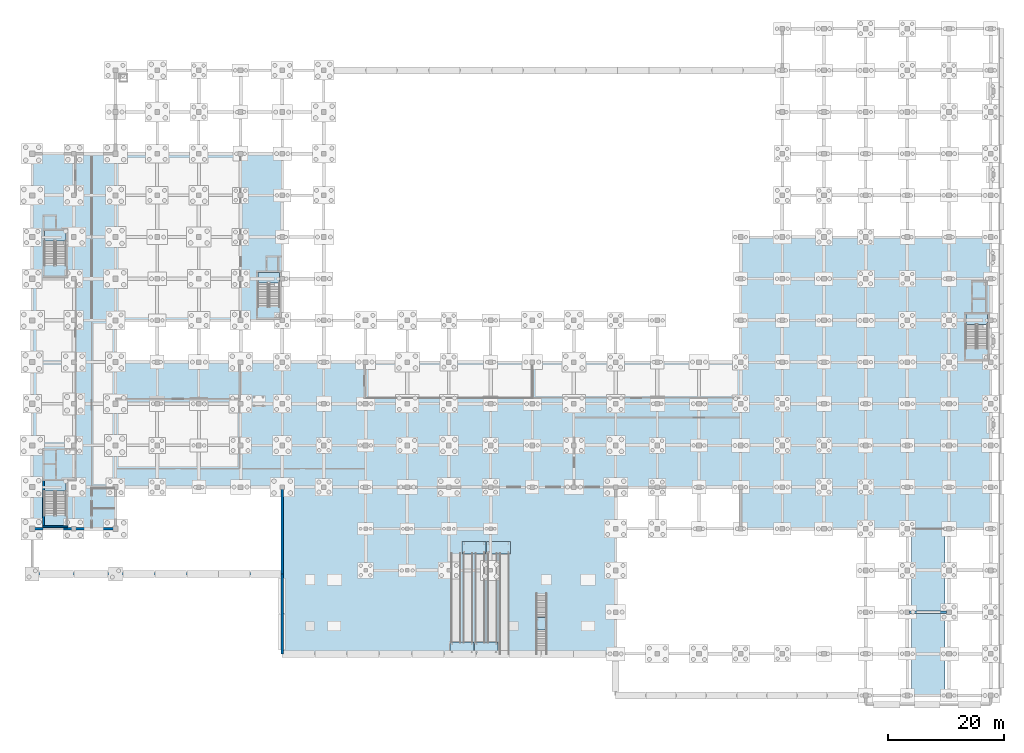
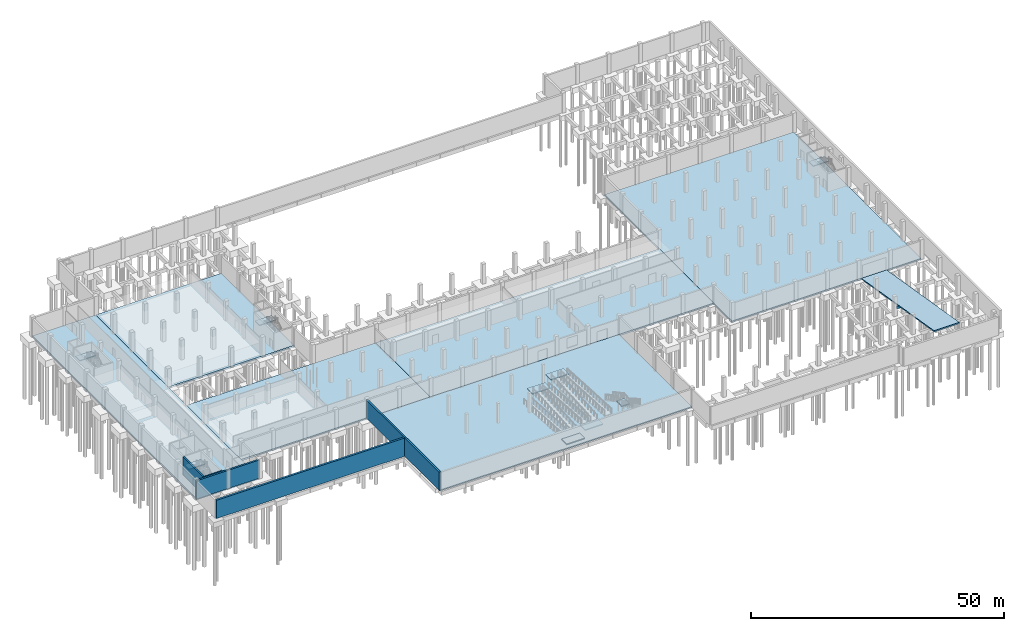
# One storey, part 22 of 38: 16 slabs, 6 walls, 1 beam, 9 elements without a shape of their own.
"""IFC4 building model written with IfcOpenShell, lengths in metres."""

import ifcopenshell
import ifcopenshell.guid

model = None  # the IFC model being written
_history = None  # IfcOwnerHistory: only IFC2X3 demands one
_inside = {}  # id of a spatial element -> (the spatial element, [elements in it])
_under = {}  # id of a project, library or spatial element -> (it, [spatial elements below it])
_declared = {}  # id of a project -> (the project, [libraries it declares])
_typed = {}  # id of a type object -> (the type object, [elements of that type])
_made_of = {}  # id of a material, layer set ... -> (it, [elements and type objects made of it])


def new_model(schema):
    """Start an empty IFC model of exactly this schema.

    Asked for "IFC4X3", IfcOpenShell would pick the latest addendum, in which some entities
    have other attributes; the version numbers below select the first issue.
    IFC2X3 requires an IfcOwnerHistory on every rooted entity: one is made here for all.
    """
    global model, _history
    if schema == "IFC4X3":
        model = ifcopenshell.file(schema_version=(4, 3, 0, 0))
    else:
        model = ifcopenshell.file(schema=schema)
    _inside.clear()
    _under.clear()
    _declared.clear()
    _typed.clear()
    _made_of.clear()
    _history = None
    if model.schema == "IFC2X3":
        org = make("IfcOrganization", Name="unknown")
        user = make(
            "IfcPersonAndOrganization",
            ThePerson=make("IfcPerson", FamilyName="unknown"),
            TheOrganization=org,
        )
        app = make(
            "IfcApplication",
            ApplicationDeveloper=org,
            Version="unknown",
            ApplicationFullName="unknown",
            ApplicationIdentifier="unknown",
        )
        _history = make(
            "IfcOwnerHistory",
            OwningUser=user,
            OwningApplication=app,
            ChangeAction="ADDED",
            CreationDate=0,
        )
    return model


def make(cls, **values):
    """One entity of the class cls with the attributes given. An attribute that is None is left unset."""
    return model.create_entity(
        cls, **{name: value for name, value in values.items() if value is not None}
    )


def rooted(cls, **values):
    """An entity with a GlobalId (a new one), such as an element, a storey or a relation."""
    return make(cls, GlobalId=ifcopenshell.guid.new(), OwnerHistory=_history, **values)


def si_unit(unit_type, name, prefix=None):
    """IfcSIUnit, for example si_unit("LENGTHUNIT", "METRE", prefix="MILLI")."""
    return make("IfcSIUnit", UnitType=unit_type, Prefix=prefix, Name=name)


def assignment(units):
    """IfcUnitAssignment: the units of a project."""
    return None if units is None else make("IfcUnitAssignment", Units=units)


def point(xyz):
    """IfcCartesianPoint."""
    return None if xyz is None else make("IfcCartesianPoint", Coordinates=xyz)


def direction(xyz):
    """IfcDirection."""
    return None if xyz is None else make("IfcDirection", DirectionRatios=xyz)


def frame(location, z_axis=None, x_axis=None):
    """IfcAxis2Placement3D, a coordinate frame: its origin and axes. An axis left out is left unset."""
    return make(
        "IfcAxis2Placement3D",
        Location=point(location),
        Axis=direction(z_axis),
        RefDirection=direction(x_axis),
    )


def frame_2d(location, x_axis=None):
    """IfcAxis2Placement2D, a coordinate frame in the plane: its origin and x axis."""
    return make(
        "IfcAxis2Placement2D", Location=point(location), RefDirection=direction(x_axis)
    )


def origin():
    """The frame at (0, 0, 0) with its axes left unset."""
    return frame((0.0, 0.0, 0.0))


def origin_2d():
    """The frame at (0, 0) in the plane with its x axis left unset."""
    return frame_2d((0.0, 0.0))


def place(relative_to, where):
    """IfcLocalPlacement: puts the frame where relative to a parent placement (None: the world)."""
    return make(
        "IfcLocalPlacement", PlacementRelTo=relative_to, RelativePlacement=where
    )


def context(
    kind, dimensions, precision=None, world=None, true_north=None, identifier=None
):
    """IfcGeometricRepresentationContext, for example the 3D "Model" context."""
    return make(
        "IfcGeometricRepresentationContext",
        ContextIdentifier=identifier,
        ContextType=kind,
        CoordinateSpaceDimension=dimensions,
        Precision=precision,
        WorldCoordinateSystem=world,
        TrueNorth=true_north,
    )


def subcontext(parent, identifier, kind, view, scale=None):
    """IfcGeometricRepresentationSubContext, for example "Body" below "Model"."""
    return make(
        "IfcGeometricRepresentationSubContext",
        ContextIdentifier=identifier,
        ContextType=kind,
        ParentContext=parent,
        TargetScale=scale,
        TargetView=view,
    )


def project(units=None, contexts=None):
    """IfcProject with its units and contexts."""
    return rooted(
        "IfcProject",
        Name="project",
        RepresentationContexts=contexts,
        UnitsInContext=assignment(units),
    )


def spatial(cls, under=None, at=None, **own):
    """A site, building, storey or space (cls), placed at a placement, below another one or the project."""
    s = rooted(cls, ObjectPlacement=at, **own)
    if under is not None:
        _under.setdefault(under.id(), (under, []))[1].append(s)
    return s


def polyline(points):
    """IfcPolyline through the points."""
    return make("IfcPolyline", Points=[point(p) for p in points])


def profile(cls, at=None, kind="AREA", **sizes):
    """A parametric profile (cls). Its sizes go by their IFC names, for example OverallWidth=200.0."""
    return make(cls, ProfileType=kind, Position=at, **sizes)


def rectangle(**sizes):
    """IfcRectangleProfileDef."""
    return profile("IfcRectangleProfileDef", **sizes)


def outline(outer, holes=None, kind="AREA"):
    """IfcArbitraryClosedProfileDef: a profile drawn as a closed curve; with holes, ...WithVoids."""
    if holes is None:
        return make("IfcArbitraryClosedProfileDef", ProfileType=kind, OuterCurve=outer)
    return make(
        "IfcArbitraryProfileDefWithVoids",
        ProfileType=kind,
        OuterCurve=outer,
        InnerCurves=holes,
    )


def extrude(swept, where, along, depth):
    """IfcExtrudedAreaSolid: the profile swept, set in the frame where, extruded along a direction by depth."""
    return make(
        "IfcExtrudedAreaSolid",
        SweptArea=swept,
        Position=where,
        ExtrudedDirection=direction(along),
        Depth=depth,
    )


def shape(context_of_items, identifier, shape_type, items):
    """IfcShapeRepresentation: the items that make up one representation, for example the "Body"."""
    return make(
        "IfcShapeRepresentation",
        ContextOfItems=context_of_items,
        RepresentationIdentifier=identifier,
        RepresentationType=shape_type,
        Items=items,
    )


def material(Name=None, Category=None):
    """IfcMaterial."""
    return make("IfcMaterial", Name=Name, Category=Category)


def layer(
    of_material, thickness, ventilated=None, Name=None, Category=None, Priority=None
):
    """IfcMaterialLayer: one layer of a wall or slab, of a material (None: an air gap)."""
    return make(
        "IfcMaterialLayer",
        Material=of_material,
        LayerThickness=thickness,
        IsVentilated=ventilated,
        Name=Name,
        Category=Category,
        Priority=Priority,
    )


def layer_set(layers, Name=None):
    """IfcMaterialLayerSet."""
    return make("IfcMaterialLayerSet", MaterialLayers=layers, LayerSetName=Name)


def material_profile(
    of_material, cross_section, Name=None, Category=None, Priority=None
):
    """IfcMaterialProfile: a cross section and its material."""
    return make(
        "IfcMaterialProfile",
        Name=Name,
        Material=of_material,
        Profile=cross_section,
        Priority=Priority,
        Category=Category,
    )


def profile_set(profiles, Name=None, composite=None):
    """IfcMaterialProfileSet."""
    return make(
        "IfcMaterialProfileSet",
        Name=Name,
        MaterialProfiles=profiles,
        CompositeProfile=composite,
    )


def made_of(thing, what):
    """Note that an element or type object is made of a material, layer set ...; save() writes the relation."""
    if what is not None:
        _made_of.setdefault(what.id(), (what, []))[1].append(thing)
    return thing


def type_object(cls, material=None, **own):
    """A type object (cls), such as IfcWallType, which elements share."""
    return made_of(rooted(cls, **own), material)


def element(
    cls,
    number,
    at=None,
    inside=None,
    cuts=None,
    type_object=None,
    material=None,
    context=None,
    identifier="Body",
    shape_type=None,
    held_by="IfcProductDefinitionShape",
    body=None,
    shapes=None,
    **own,
):
    """One element of the class cls, such as IfcWall. Its Tag is "e" and its number.

    at: its placement. inside: the storey or other place that contains it. cuts: it is an
    opening in that element (IfcRelVoidsElement). A single representation is given by context,
    identifier, shape_type and body (its items); several are given by shapes. held_by: the class
    of the entity that holds the representations. save() writes the other relations.
    """
    e = rooted(cls, Tag="e%d" % number, ObjectPlacement=at, **own)
    if body is not None:
        shapes = [shape(context, identifier, shape_type, body)]
    if shapes is not None:
        e.Representation = make(held_by, Representations=shapes)
    if inside is not None:
        _inside.setdefault(inside.id(), (inside, []))[1].append(e)
    if cuts is not None:
        rooted(
            "IfcRelVoidsElement", RelatingBuildingElement=cuts, RelatedOpeningElement=e
        )
    if type_object is not None:
        _typed.setdefault(type_object.id(), (type_object, []))[1].append(e)
    return made_of(e, material)


def aggregate(whole, parts):
    """IfcRelAggregates: a whole, such as a stair, and the parts it consists of."""
    return rooted("IfcRelAggregates", RelatingObject=whole, RelatedObjects=parts)


def save(model, path):
    """Write the relations noted so far, then the file.

    IfcRelAggregates (storeys below a building ...), IfcRelContainedInSpatialStructure (elements
    in a storey), IfcRelDefinesByType, IfcRelAssociatesMaterial and IfcRelDeclares: one each for
    every whole, place, type object, material and project.
    """
    for whole, parts in _under.values():
        aggregate(whole, parts)
    for where, things in _inside.values():
        rooted(
            "IfcRelContainedInSpatialStructure",
            RelatedElements=things,
            RelatingStructure=where,
        )
    for kind, things in _typed.values():
        rooted("IfcRelDefinesByType", RelatedObjects=things, RelatingType=kind)
    for what, things in _made_of.values():
        rooted("IfcRelAssociatesMaterial", RelatedObjects=things, RelatingMaterial=what)
    for by, libraries in _declared.values():
        rooted("IfcRelDeclares", RelatingContext=by, RelatedDefinitions=libraries)
    model.write(path)


model = new_model("IFC4")

# Units and contexts
model_context = context("Model", 3, precision=1e-05, world=origin(), true_north=direction((0.0, 1.0)))
body_context = subcontext(model_context, "Body", "Model", "MODEL_VIEW")
ifc_project = project(units=[si_unit("LENGTHUNIT", "METRE"), si_unit("AREAUNIT", "SQUARE_METRE"), si_unit("VOLUMEUNIT", "CUBIC_METRE"), si_unit("PLANEANGLEUNIT", "RADIAN"), si_unit("MASSUNIT", "GRAM", prefix="KILO")], contexts=[model_context])

# Site, building, storey
site_placement = place(None, origin())
site = spatial("IfcSite", under=ifc_project, at=site_placement, CompositionType="ELEMENT")
building_placement = place(site_placement, origin())
building = spatial("IfcBuilding", under=site, at=building_placement, Name="Valkovuoma Quantum and Materials Research Institute", CompositionType="ELEMENT")
storey_placement = place(building_placement, frame((0.0, 0.0, -4.800048828125)))
storey = spatial("IfcBuildingStorey", under=building, at=storey_placement, Name="B1", CompositionType="ELEMENT", Elevation=-4.800048828125)

# Beam
ifc_material_1 = material(Name="Concrete C40/50", Category="concrete")
ifc_material_profile = material_profile(ifc_material_1, rectangle(XDim=0.39990234375, YDim=0.64990234375, at=origin_2d()), Name="Concrete C40/50")
ifc_profile_set = profile_set([ifc_material_profile], Name="Concrete C40/50")
beam_type = type_object("IfcBeamType", Name="Beam-B-RC650", PredefinedType="BEAM", material=ifc_profile_set)
beam_placement = place(storey_placement, frame((151.60009765625, 14.39990234375, 1.795166015625), z_axis=(1.0, 0.0, 0.0), x_axis=(0.0, 1.0, 0.0)))
element("IfcBeam", 1, at=beam_placement, inside=storey, type_object=beam_type, Name="B1 vehicle ramp mid-span transverse support beam", PredefinedType="BEAM", context=body_context, shape_type="SweptSolid", body=[
    extrude(rectangle(XDim=0.39990234375, YDim=0.64990234375, at=origin_2d()), origin(), (0.0, 0.0, 1.0), 6.39990234375),
])

# Slabs
ifc_material_2 = material(Name="Concrete C35/45", Category="concrete")
ifc_layer_1 = layer(ifc_material_2, 0.39990234375)
ifc_layer_set_1 = layer_set([ifc_layer_1], Name="Concrete C35/45")
slab_type_1 = type_object("IfcSlabType", Name="Slab-SL-BS400", PredefinedType="BASESLAB", material=ifc_layer_set_1)
slab_1_placement = place(storey_placement, frame((0.0, 0.0, -0.39990234375)))
element("IfcSlab", 2, at=slab_1_placement, inside=storey, type_object=slab_type_1, Name="B1 vol2_atrium structural slab 1", PredefinedType="BASESLAB", context=body_context, shape_type="SweptSolid", body=[
    extrude(outline(polyline([(57.60009765625, 36.0), (122.39990234375, 36.0), (122.39990234375, 57.60009765625), (57.60009765625, 57.60009765625), (57.60009765625, 36.0)])), origin(), (0.0, 0.0, 1.0), 0.39990234375),
])
slab_2_placement = place(storey_placement, frame((0.0, 0.0, -0.39990234375)))
element("IfcSlab", 3, at=slab_2_placement, inside=storey, type_object=slab_type_1, Name="B1 vol3_cleanroom structural slab 1", PredefinedType="BASESLAB", context=body_context, shape_type="SweptSolid", body=[
    extrude(outline(polyline([(14.39990234375, 64.800048828125), (43.199951171875, 64.800048828125), (43.199951171875, 93.60009765625), (14.39990234375, 93.60009765625), (14.39990234375, 64.800048828125)])), origin(), (0.0, 0.0, 1.0), 0.39990234375),
])
slab_3_placement = place(storey_placement, frame((0.0, 0.0, -0.39990234375)))
element("IfcSlab", 4, at=slab_3_placement, inside=storey, type_object=slab_type_1, Name="B1 vol4_wetlab structural slab 1", PredefinedType="BASESLAB", context=body_context, shape_type="SweptSolid", body=[
    extrude(outline(polyline([(122.39990234375, 28.800048828125), (165.60009765625, 28.800048828125), (165.60009765625, 79.199951171875), (122.39990234375, 79.199951171875), (122.39990234375, 28.800048828125)])), origin(), (0.0, 0.0, 1.0), 0.39990234375),
])
slab_4_placement = place(storey_placement, frame((0.0, 0.0, -0.39990234375)))
element("IfcSlab", 5, at=slab_4_placement, inside=storey, type_object=slab_type_1, Name="B1 vol5_drylab structural slab 1", PredefinedType="BASESLAB", context=body_context, shape_type="SweptSolid", body=[
    extrude(outline(polyline([(0.0, 28.800048828125), (14.39990234375, 28.800048828125), (14.39990234375, 93.60009765625), (0.0, 93.60009765625), (0.0, 28.800048828125)])), origin(), (0.0, 0.0, 1.0), 0.39990234375),
])
slab_5_placement = place(storey_placement, frame((0.0, 0.0, -0.39990234375)))
element("IfcSlab", 6, at=slab_5_placement, inside=storey, type_object=slab_type_1, Name="B1 vol5_drylab structural slab 2", PredefinedType="BASESLAB", context=body_context, shape_type="SweptSolid", body=[
    extrude(outline(polyline([(14.39990234375, 36.0), (57.60009765625, 36.0), (57.60009765625, 57.60009765625), (14.39990234375, 57.60009765625), (14.39990234375, 36.0)])), origin(), (0.0, 0.0, 1.0), 0.39990234375),
])
ifc_material_3 = material(Name="Concrete C35/45", Category="concrete")
ifc_layer_2 = layer(ifc_material_3, 0.300048828125)
ifc_layer_set_2 = layer_set([ifc_layer_2], Name="Concrete C35/45")
slab_type_2 = type_object("IfcSlabType", Name="Slab-SL-EXT300", PredefinedType="BASESLAB", material=ifc_layer_set_2)
slab_6_placement = place(storey_placement, frame((0.0, 0.0, -0.300048828125)))
element("IfcSlab", 7, at=slab_6_placement, inside=storey, type_object=slab_type_2, Name="B1 outdoor deck SUNKEN_FORECOURT", PredefinedType="BASESLAB", context=body_context, shape_type="SweptSolid", body=[
    extrude(outline(polyline([(43.199951171875, 7.199951171875), (100.800048828125, 7.199951171875), (100.800048828125, 36.0), (43.199951171875, 36.0), (43.199951171875, 7.199951171875)])), origin(), (0.0, 0.0, 1.0), 0.300048828125),
])

# Stair, slab
ifc_material_4 = material(Name="Concrete C40/50", Category="concrete")
stair_type_1 = type_object("IfcStairType", Name="Stair-ST-COR", PredefinedType="HALF_TURN_STAIR", material=ifc_material_4)
stair_1_placement = place(storey_placement, origin())
stair_1 = element("IfcStair", 8, at=stair_1_placement, inside=storey, type_object=stair_type_1, Name="B1 Exit Stair ST-1", PredefinedType="HALF_TURN_STAIR")
ifc_material_5 = material(Name="Concrete C40/50", Category="concrete")
ifc_layer_3 = layer(ifc_material_5, 0.199951171875)
ifc_layer_set_3 = layer_set([ifc_layer_3], Name="Concrete C40/50")
slab_type_3 = type_object("IfcSlabType", Name="Slab-SL-LND200", PredefinedType="LANDING", material=ifc_layer_set_3)
slab_7_placement = place(storey_placement, frame((0.0, 0.0, 2.199951171875)))
slab_7 = element("IfcSlab", 9, at=slab_7_placement, type_object=slab_type_3, Name="ST-1 landing 1", PredefinedType="LANDING", context=body_context, shape_type="SweptSolid", body=[
    extrude(outline(polyline([(5.85009765625, 35.300048828125), (5.85009765625, 37.10009765625), (2.10009765625, 37.10009765625), (2.10009765625, 35.300048828125), (5.85009765625, 35.300048828125)])), origin(), (0.0, 0.0, 1.0), 0.2001953125),
])
aggregate(stair_1, [slab_7])

stair_2_placement = place(storey_placement, origin())
stair_2 = element("IfcStair", 10, at=stair_2_placement, inside=storey, type_object=stair_type_1, Name="B1 Exit Stair ST-2", PredefinedType="HALF_TURN_STAIR")
slab_8_placement = place(storey_placement, frame((0.0, 0.0, 2.199951171875)))
slab_8 = element("IfcSlab", 11, at=slab_8_placement, type_object=slab_type_3, Name="ST-2 landing 1", PredefinedType="LANDING", context=body_context, shape_type="SweptSolid", body=[
    extrude(outline(polyline([(5.85009765625, 78.5), (5.85009765625, 80.300048828125), (2.10009765625, 80.300048828125), (2.10009765625, 78.5), (5.85009765625, 78.5)])), origin(), (0.0, 0.0, 1.0), 0.2001953125),
])
aggregate(stair_2, [slab_8])

stair_3_placement = place(storey_placement, origin())
stair_3 = element("IfcStair", 12, at=stair_3_placement, inside=storey, type_object=stair_type_1, Name="B1 Exit Stair ST-3", PredefinedType="HALF_TURN_STAIR")
slab_9_placement = place(storey_placement, frame((0.0, 0.0, 2.199951171875)))
slab_9 = element("IfcSlab", 13, at=slab_9_placement, type_object=slab_type_3, Name="ST-3 landing 1", PredefinedType="LANDING", context=body_context, shape_type="SweptSolid", body=[
    extrude(outline(polyline([(165.050048828125, 64.10009765625), (165.050048828125, 65.89990234375), (161.300048828125, 65.89990234375), (161.300048828125, 64.10009765625), (165.050048828125, 64.10009765625)])), origin(), (0.0, 0.0, 1.0), 0.2001953125),
])
aggregate(stair_3, [slab_9])

stair_4_placement = place(storey_placement, origin())
stair_4 = element("IfcStair", 14, at=stair_4_placement, inside=storey, type_object=stair_type_1, Name="B1 Exit Stair ST-4", PredefinedType="HALF_TURN_STAIR")
slab_10_placement = place(storey_placement, frame((0.0, 0.0, 2.199951171875)))
slab_10 = element("IfcSlab", 15, at=slab_10_placement, type_object=slab_type_3, Name="ST-4 landing 1", PredefinedType="LANDING", context=body_context, shape_type="SweptSolid", body=[
    extrude(outline(polyline([(42.75, 71.300048828125), (42.75, 73.10009765625), (39.0, 73.10009765625), (39.0, 71.300048828125), (42.75, 71.300048828125)])), origin(), (0.0, 0.0, 1.0), 0.2001953125),
])
aggregate(stair_4, [slab_10])

ifc_material_6 = material(Name="Concrete C40/50", Category="concrete")
stair_type_2 = type_object("IfcStairType", Name="Stair-ST-EXT", PredefinedType="STRAIGHT_RUN_STAIR", material=ifc_material_6)
stair_5_placement = place(storey_placement, origin())
stair_5 = element("IfcStair", 16, at=stair_5_placement, inside=storey, type_object=stair_type_2, Name="Sunken Forecourt Grand Stair ST-6", PredefinedType="STRAIGHT_RUN_STAIR")
slab_11_placement = place(storey_placement, frame((0.0, 0.0, 2.199951171875)))
slab_11 = element("IfcSlab", 17, at=slab_11_placement, type_object=slab_type_3, Name="ST-6 landing 1", PredefinedType="LANDING", context=body_context, shape_type="SweptSolid", body=[
    extrude(outline(polyline([(87.10009765625, 11.300048828125), (88.89990234375, 11.300048828125), (88.89990234375, 13.449951171875), (87.10009765625, 13.449951171875), (87.10009765625, 11.300048828125)])), origin(), (0.0, 0.0, 1.0), 0.2001953125),
])
aggregate(stair_5, [slab_11])

# Ramp, slab
ifc_material_7 = material(Name="Concrete C40/50", Category="concrete")
ramp_type = type_object("IfcRampType", Name="Ramp-PED", PredefinedType="STRAIGHT_RUN_RAMP", material=ifc_material_7)
ramp_1_placement = place(storey_placement, origin())
ramp_1 = element("IfcRamp", 18, at=ramp_1_placement, inside=storey, type_object=ramp_type, Name="Forecourt accessible ramp 1", PredefinedType="STRAIGHT_RUN_RAMP")
ifc_material_8 = material(Name="Concrete C35/45", Category="concrete")
ifc_layer_4 = layer(ifc_material_8, 0.219970703125)
ifc_layer_set_4 = layer_set([ifc_layer_4], Name="Concrete C35/45")
slab_type_4 = type_object("IfcSlabType", Name="Slab-SL-RLND220", PredefinedType="LANDING", material=ifc_layer_set_4)
slab_12_placement = place(storey_placement, frame((0.0, 0.0, 0.739990234375)))
slab_12 = element("IfcSlab", 19, at=slab_12_placement, type_object=slab_type_4, Name="Forecourt ramp landing 1", PredefinedType="LANDING", context=body_context, shape_type="SweptSolid", body=[
    extrude(outline(polyline([(72.199951171875, 7.25), (76.300048828125, 7.25), (76.300048828125, 9.25), (72.199951171875, 9.25), (72.199951171875, 7.25)])), origin(), (0.0, 0.0, 1.0), 0.219970703125),
])
aggregate(ramp_1, [slab_12])

ramp_2_placement = place(storey_placement, origin())
ramp_2 = element("IfcRamp", 20, at=ramp_2_placement, inside=storey, type_object=ramp_type, Name="Forecourt accessible ramp 2", PredefinedType="STRAIGHT_RUN_RAMP")
slab_13_placement = place(storey_placement, frame((0.0, 0.0, 1.699951171875)))
slab_13 = element("IfcSlab", 21, at=slab_13_placement, type_object=slab_type_4, Name="Forecourt ramp landing 2", PredefinedType="LANDING", context=body_context, shape_type="SweptSolid", body=[
    extrude(outline(polyline([(74.300048828125, 24.409912109375), (78.39990234375, 24.409912109375), (78.39990234375, 26.610107421875), (74.300048828125, 26.610107421875), (74.300048828125, 24.409912109375)])), origin(), (0.0, 0.0, 1.0), 0.22021484375),
])
aggregate(ramp_2, [slab_13])

ramp_3_placement = place(storey_placement, origin())
ramp_3 = element("IfcRamp", 22, at=ramp_3_placement, inside=storey, type_object=ramp_type, Name="Forecourt accessible ramp 3", PredefinedType="STRAIGHT_RUN_RAMP")
slab_14_placement = place(storey_placement, frame((0.0, 0.0, 2.66015625)))
slab_14 = element("IfcSlab", 23, at=slab_14_placement, type_object=slab_type_4, Name="Forecourt ramp landing 3", PredefinedType="LANDING", context=body_context, shape_type="SweptSolid", body=[
    extrude(outline(polyline([(76.39990234375, 7.25), (80.5, 7.25), (80.5, 9.25), (76.39990234375, 9.25), (76.39990234375, 7.25)])), origin(), (0.0, 0.0, 1.0), 0.219970703125),
])
aggregate(ramp_3, [slab_14])

ramp_4_placement = place(storey_placement, origin())
ramp_4 = element("IfcRamp", 24, at=ramp_4_placement, inside=storey, type_object=ramp_type, Name="Forecourt accessible ramp 4", PredefinedType="STRAIGHT_RUN_RAMP")
slab_15_placement = place(storey_placement, frame((0.0, 0.0, 3.6201171875)))
slab_15 = element("IfcSlab", 25, at=slab_15_placement, type_object=slab_type_4, Name="Forecourt ramp landing 4", PredefinedType="LANDING", context=body_context, shape_type="SweptSolid", body=[
    extrude(outline(polyline([(78.5, 24.409912109375), (82.60009765625, 24.409912109375), (82.60009765625, 26.610107421875), (78.5, 26.610107421875), (78.5, 24.409912109375)])), origin(), (0.0, 0.0, 1.0), 0.219970703125),
])
aggregate(ramp_4, [slab_15])

# Slab
ifc_material_9 = material(Name="Concrete C40/50", Category="concrete")
ifc_layer_5 = layer(ifc_material_9, 0.280029296875)
ifc_layer_set_5 = layer_set([ifc_layer_5], Name="Concrete C40/50")
slab_type_5 = type_object("IfcSlabType", Name="Slab-SL-VRMP280", PredefinedType="FLOOR", material=ifc_layer_set_5)
slab_16_placement = place(storey_placement, frame((151.89990234375, 28.800048828125, 0.0), z_axis=(0.0, 0.164400343264, 0.986393697838), x_axis=(1.0, 0.0, 0.0)))
element("IfcSlab", 26, at=slab_16_placement, inside=storey, type_object=slab_type_5, Name="B1 two-way structural vehicle ramp slab (Concrete C40/50)", PredefinedType="FLOOR", context=body_context, shape_type="SweptSolid", body=[
    extrude(outline(polyline([(0.0, 0.0), (5.800048828125, 0.0), (5.800048828125, -29.197316336519155), (0.0, -29.197316336519155), (0.0, 0.0)])), origin(), (0.0, 0.0, -1.0), 0.280029296875),
])

# Walls
ifc_material_10 = material(Name="Concrete C40/50", Category="concrete")
ifc_layer_6 = layer(ifc_material_10, 0.300048828125)
ifc_layer_set_6 = layer_set([ifc_layer_6], Name="Concrete C40/50")
wall_type_1 = type_object("IfcWallType", Name="Wall-W-COR300", PredefinedType="SHEAR", material=ifc_layer_set_6)
wall_1_placement = place(storey_placement, frame((1.800048828125, 29.14990234375, 0.0), z_axis=(0.0, 0.0, 1.0), x_axis=(1.0, 0.0, 0.0)))
element("IfcWall", 27, at=wall_1_placement, inside=storey, type_object=wall_type_1, Name="B1 core wall 0001", PredefinedType="SHEAR", context=body_context, shape_type="SweptSolid", body=[
    extrude(rectangle(XDim=4.349853515625, YDim=0.300048828125, at=frame_2d((2.1748046875, 0.0))), origin(), (0.0, 0.0, 1.0), 4.400146484375),
])
wall_2_placement = place(storey_placement, frame((1.949951171875, 29.300048828125, 0.0), z_axis=(0.0, 0.0, 1.0), x_axis=(0.0, 1.0, 0.0)))
element("IfcWall", 28, at=wall_2_placement, inside=storey, type_object=wall_type_1, Name="B1 core wall 0003", PredefinedType="SHEAR", context=body_context, shape_type="SweptSolid", body=[
    extrude(rectangle(XDim=7.800048828125, YDim=0.300048828125, at=frame_2d((3.89990234375, 0.0))), origin(), (0.0, 0.0, 1.0), 4.400146484375),
])
ifc_material_11 = material(Name="Concrete C35/45", Category="concrete")
ifc_layer_7 = layer(ifc_material_11, 0.39990234375)
ifc_layer_set_7 = layer_set([ifc_layer_7], Name="Concrete C35/45")
wall_type_2 = type_object("IfcWallType", Name="Wall-W-RET400", PredefinedType="STANDARD", material=ifc_layer_set_7)
wall_3_placement = place(storey_placement, frame((43.199951171875, 7.199951171875, 0.0), z_axis=(0.0, 0.0, 1.0), x_axis=(0.0, 1.0, 0.0)))
element("IfcWall", 29, at=wall_3_placement, inside=storey, type_object=wall_type_2, Name="B1 exterior wall 0014", PredefinedType="STANDARD", context=body_context, shape_type="SweptSolid", body=[
    extrude(rectangle(XDim=13.800048828125, YDim=0.39990234375, at=frame_2d((6.89990234375, 0.0))), origin(), (0.0, 0.0, 1.0), 4.400146484375),
])
wall_4_placement = place(storey_placement, frame((43.199951171875, 21.0, 0.0), z_axis=(0.0, 0.0, 1.0), x_axis=(0.0, 1.0, 0.0)))
element("IfcWall", 30, at=wall_4_placement, inside=storey, type_object=wall_type_2, Name="B1 exterior wall 0016", PredefinedType="STANDARD", context=body_context, shape_type="SweptSolid", body=[
    extrude(rectangle(XDim=15.0, YDim=0.39990234375, at=frame_2d((7.5, 0.0))), origin(), (0.0, 0.0, 1.0), 4.400146484375),
])
wall_5_placement = place(storey_placement, frame((0.0, 28.800048828125, 0.0), z_axis=(0.0, 0.0, 1.0), x_axis=(1.0, 0.0, 0.0)))
element("IfcWall", 31, at=wall_5_placement, inside=storey, type_object=wall_type_2, Name="B1 exterior wall 0023", PredefinedType="STANDARD", context=body_context, shape_type="SweptSolid", body=[
    extrude(rectangle(XDim=14.39990234375, YDim=0.39990234375, at=frame_2d((7.199951171875, 0.0))), origin(), (0.0, 0.0, 1.0), 4.400146484375),
])
ifc_material_12 = material(Name="Concrete C35/45", Category="concrete")
ifc_layer_8 = layer(ifc_material_12, 0.449951171875)
ifc_layer_set_8 = layer_set([ifc_layer_8], Name="Concrete C35/45")
wall_type_3 = type_object("IfcWallType", Name="Wall-W-RET450", PredefinedType="STANDARD", material=ifc_layer_set_8)
wall_6_placement = place(storey_placement, frame((0.0, 21.0, 0.0), z_axis=(0.0, 0.0, 1.0), x_axis=(1.0, 0.0, 0.0)))
element("IfcWall", 32, at=wall_6_placement, inside=storey, type_object=wall_type_3, Name="B1 exterior wall 0015", PredefinedType="STANDARD", context=body_context, shape_type="SweptSolid", body=[
    extrude(rectangle(XDim=43.199951171875, YDim=0.449951171875, at=frame_2d((21.60009765625, 0.0))), origin(), (0.0, 0.0, 1.0), 4.400146484375),
])

save(model, "model.ifc")
